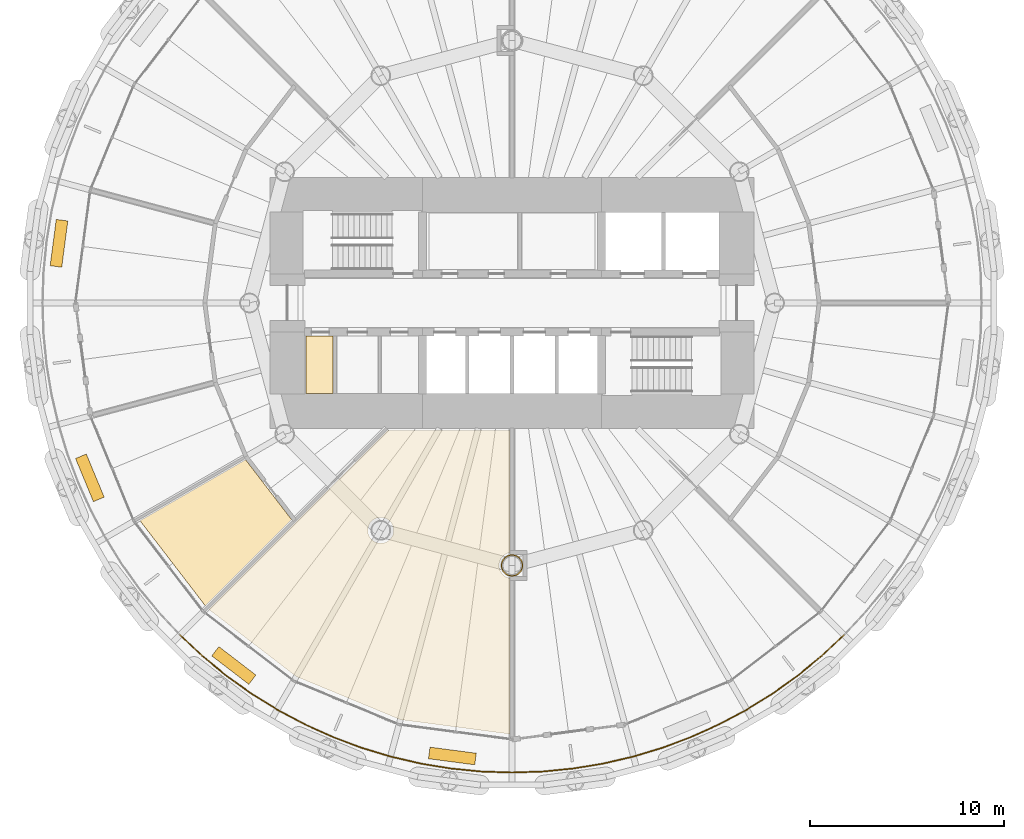
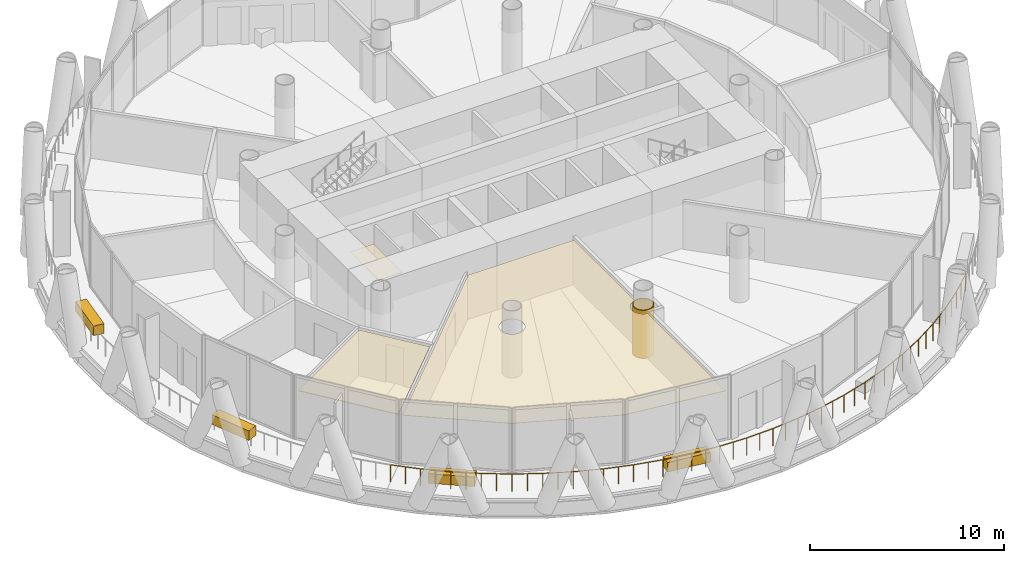
# One storey, part 12 of 15: 8 coverings, 1 railing.
"""IFC4 building model written with IfcOpenShell, lengths in metres."""

from ifc_helpers import new_model, si_unit, direction, frame, origin, origin_2d, place, context, subcontext, project, spatial, polyline, rectangle, circle, outline, extrude, material, layer, layer_set, type_object, element, save


model = new_model("IFC4")

# Units and contexts
model_context = context("Model", 3, precision=1e-05, world=origin(), true_north=direction((0.0, 1.0)))
body_context = subcontext(model_context, "Body", "Model", "MODEL_VIEW")
ifc_project = project(units=[si_unit("LENGTHUNIT", "METRE"), si_unit("AREAUNIT", "SQUARE_METRE"), si_unit("VOLUMEUNIT", "CUBIC_METRE"), si_unit("PLANEANGLEUNIT", "RADIAN"), si_unit("MASSUNIT", "GRAM", prefix="KILO")], contexts=[model_context])

# Site, building, storey
site_placement = place(None, origin())
site = spatial("IfcSite", under=ifc_project, at=site_placement, CompositionType="ELEMENT")
building_placement = place(site_placement, origin())
building = spatial("IfcBuilding", under=site, at=building_placement, Name="Qaws Media Tower", CompositionType="ELEMENT")
storey_placement = place(building_placement, frame((0.0, 0.0, 147.800048828125)))
storey = spatial("IfcBuildingStorey", under=building, at=storey_placement, Name="L33", CompositionType="ELEMENT", Elevation=147.800048828125)

# Covering
ifc_material_1 = material(Name="40 perforated acoustic panels with mineral wool backing, suspended", Category="mineral fibre")
ifc_layer_1 = layer(ifc_material_1, 0.0400390625)
ifc_layer_set_1 = layer_set([ifc_layer_1], Name="Acoustic panel ceiling 40")
covering_type_1 = type_object("IfcCoveringType", Name="Acoustic panel ceiling 40", PredefinedType="CEILING", material=ifc_layer_set_1)
covering_1_placement = place(storey_placement, frame((0.0, 0.0, 2.849853515625)))
element("IfcCovering", 1, at=covering_1_placement, inside=storey, type_object=covering_type_1, Name="CL3 ceiling L33-08 Meeting room", PredefinedType="CEILING", context=body_context, shape_type="SweptSolid", body=[
    extrude(outline(polyline([(40.856201171875, 38.8173828125), (46.28759765625, 41.953125), (48.678466796875, 38.83740234375), (44.24365234375, 34.402587890625), (40.856201171875, 38.8173828125)])), origin(), (0.0, 0.0, 1.0), 0.0400390625),
])

# Railing
ifc_material_2 = material(Name="Stainless steel and glass guard", Category="steel")
railing_type = type_object("IfcRailingType", Name="Balcony guard 1100", PredefinedType="GUARDRAIL", material=ifc_material_2)
railing_placement = place(storey_placement, frame((42.92333984375, 32.92333984375, 0.0)))
element("IfcRailing", 2, at=railing_placement, inside=storey, type_object=railing_type, Name="GR1 balcony guard L33-3", PredefinedType="GUARDRAIL", context=body_context, shape_type="SweptSolid", body=[
    extrude(circle(Radius=0.02392578125, at=origin_2d()), frame((0.0, 0.0, 1.076171875), z_axis=(0.729898402418, -0.683555646709, 0.0), x_axis=(0.683555646709, 0.729898402418, 0.0)), (0.0, 0.0, 1.0), 1.58056640625),
    extrude(circle(Radius=0.02392578125, at=origin_2d()), frame((1.153564453125, -1.080322265625, 1.076171875), z_axis=(0.772999541766, -0.63440657975, 0.0), x_axis=(0.63440657975, 0.772999541766, 0.0)), (0.0, 0.0, 1.0), 1.580078125),
    extrude(circle(Radius=0.02392578125, at=origin_2d()), frame((2.375, -2.082763671875, 1.076171875), z_axis=(0.812824441406, -0.582508735945, 0.0), x_axis=(0.582508735945, 0.812824441406, 0.0)), (0.0, 0.0, 1.0), 1.58056640625),
    extrude(circle(Radius=0.02392578125, at=origin_2d()), frame((3.65966796875, -3.00341796875, 1.076171875), z_axis=(0.849219795707, -0.52803952369, 0.0), x_axis=(0.52803952369, 0.849219795707, 0.0)), (0.0, 0.0, 1.0), 1.580322265625),
    extrude(circle(Radius=0.02392578125, at=origin_2d()), frame((5.001708984375, -3.837890625, 1.076171875), z_axis=(0.881954920719, -0.471333764777, 0.0), x_axis=(0.471333764777, 0.881954920719, 0.0)), (0.0, 0.0, 1.0), 1.580322265625),
    extrude(circle(Radius=0.02392578125, at=origin_2d()), frame((6.3955078125, -4.582763671875, 1.076171875), z_axis=(0.910831466331, -0.412778439287, 0.0), x_axis=(0.412778439287, 0.910831466331, 0.0)), (0.0, 0.0, 1.0), 1.580322265625),
    extrude(circle(Radius=0.02392578125, at=origin_2d()), frame((7.8349609375, -5.235107421875, 1.076171875), z_axis=(0.935909479077, -0.352240609491, 0.0), x_axis=(0.352240609491, 0.935909479077, 0.0)), (0.0, 0.0, 1.0), 1.580322265625),
    extrude(circle(Radius=0.02392578125, at=origin_2d()), frame((9.31396484375, -5.791748046875, 1.076171875), z_axis=(0.956937304005, -0.290294671331, 0.0), x_axis=(0.290294671331, 0.956937304005, 0.0)), (0.0, 0.0, 1.0), 1.580322265625),
    extrude(circle(Radius=0.02392578125, at=origin_2d()), frame((10.826171875, -6.25048828125, 1.076171875), z_axis=(0.973873106411, -0.227092872212, 0.0), x_axis=(0.227092872212, 0.973873106411, 0.0)), (0.0, 0.0, 1.0), 1.580322265625),
    extrude(circle(Radius=0.02392578125, at=origin_2d()), frame((12.365234375, -6.609375, 1.076171875), z_axis=(0.986655692677, -0.162820588709, 0.0), x_axis=(0.162820588709, 0.986655692677, 0.0)), (0.0, 0.0, 1.0), 1.580322265625),
    extrude(circle(Radius=0.02392578125, at=origin_2d()), frame((13.924560546875, -6.86669921875, 1.076171875), z_axis=(0.995175425119, -0.098111534692, 0.0), x_axis=(0.098111534692, 0.995175425119, 0.0)), (0.0, 0.0, 1.0), 1.580078125),
    extrude(circle(Radius=0.02392578125, at=origin_2d()), frame((15.4970703125, -7.021728515625, 1.076171875), z_axis=(0.999468650712, -0.032594727249, 0.0), x_axis=(0.032594727249, 0.999468650712, 0.0)), (0.0, 0.0, 1.0), 1.580322265625),
    extrude(circle(Radius=0.02392578125, at=origin_2d()), frame((17.07666015625, -7.0732421875, 1.076171875), z_axis=(0.999468650712, 0.032594727249, 0.0), x_axis=(-0.032594727249, 0.999468650712, 0.0)), (0.0, 0.0, 1.0), 1.580322265625),
    extrude(circle(Radius=0.02392578125, at=origin_2d()), frame((18.65625, -7.021728515625, 1.076171875), z_axis=(0.995175425119, 0.098111534692, 0.0), x_axis=(-0.098111534692, 0.995175425119, 0.0)), (0.0, 0.0, 1.0), 1.580078125),
    extrude(circle(Radius=0.02392578125, at=origin_2d()), frame((20.228759765625, -6.86669921875, 1.076171875), z_axis=(0.986655692677, 0.162820588709, 0.0), x_axis=(-0.162820588709, 0.986655692677, 0.0)), (0.0, 0.0, 1.0), 1.580322265625),
    extrude(circle(Radius=0.02392578125, at=origin_2d()), frame((21.7880859375, -6.609375, 1.076171875), z_axis=(0.973873106411, 0.227092872212, 0.0), x_axis=(-0.227092872212, 0.973873106411, 0.0)), (0.0, 0.0, 1.0), 1.580322265625),
    extrude(circle(Radius=0.02392578125, at=origin_2d()), frame((23.3271484375, -6.25048828125, 1.076171875), z_axis=(0.956937304005, 0.290294671331, 0.0), x_axis=(-0.290294671331, 0.956937304005, 0.0)), (0.0, 0.0, 1.0), 1.580322265625),
    extrude(circle(Radius=0.02392578125, at=origin_2d()), frame((24.83935546875, -5.791748046875, 1.076171875), z_axis=(0.935909479077, 0.352240609491, 0.0), x_axis=(-0.352240609491, 0.935909479077, 0.0)), (0.0, 0.0, 1.0), 1.580322265625),
    extrude(circle(Radius=0.02392578125, at=origin_2d()), frame((26.318359375, -5.235107421875, 1.076171875), z_axis=(0.910831466331, 0.412778439287, 0.0), x_axis=(-0.412778439287, 0.910831466331, 0.0)), (0.0, 0.0, 1.0), 1.580322265625),
    extrude(circle(Radius=0.02392578125, at=origin_2d()), frame((27.7578125, -4.582763671875, 1.076171875), z_axis=(0.881954920719, 0.471333764777, 0.0), x_axis=(-0.471333764777, 0.881954920719, 0.0)), (0.0, 0.0, 1.0), 1.580322265625),
    extrude(circle(Radius=0.02392578125, at=origin_2d()), frame((29.151611328125, -3.837890625, 1.076171875), z_axis=(0.849219795707, 0.52803952369, 0.0), x_axis=(-0.52803952369, 0.849219795707, 0.0)), (0.0, 0.0, 1.0), 1.580322265625),
    extrude(circle(Radius=0.02392578125, at=origin_2d()), frame((30.49365234375, -3.00341796875, 1.076171875), z_axis=(0.812824441406, 0.582508735945, 0.0), x_axis=(-0.582508735945, 0.812824441406, 0.0)), (0.0, 0.0, 1.0), 1.58056640625),
    extrude(circle(Radius=0.02392578125, at=origin_2d()), frame((31.7783203125, -2.082763671875, 1.076171875), z_axis=(0.772999541766, 0.63440657975, 0.0), x_axis=(-0.63440657975, 0.772999541766, 0.0)), (0.0, 0.0, 1.0), 1.580078125),
    extrude(circle(Radius=0.02392578125, at=origin_2d()), frame((32.999755859375, -1.080322265625, 1.076171875), z_axis=(0.729898402418, 0.683555646709, 0.0), x_axis=(-0.683555646709, 0.729898402418, 0.0)), (0.0, 0.0, 1.0), 1.58056640625),
    extrude(circle(Radius=0.02099609375, at=origin_2d()), origin(), (0.0, 0.0, 1.0), 1.052001953125),
    extrude(circle(Radius=0.02099609375, at=origin_2d()), frame((0.57666015625, -0.5400390625, 0.0)), (0.0, 0.0, 1.0), 1.052001953125),
    extrude(circle(Radius=0.02099609375, at=origin_2d()), frame((1.153564453125, -1.080322265625, 0.0)), (0.0, 0.0, 1.0), 1.052001953125),
    extrude(circle(Radius=0.02099609375, at=origin_2d()), frame((1.76416015625, -1.58154296875, 0.0)), (0.0, 0.0, 1.0), 1.052001953125),
    extrude(circle(Radius=0.02099609375, at=origin_2d()), frame((2.375, -2.082763671875, 0.0)), (0.0, 0.0, 1.0), 1.052001953125),
    extrude(circle(Radius=0.02099609375, at=origin_2d()), frame((3.017333984375, -2.54296875, 0.0)), (0.0, 0.0, 1.0), 1.052001953125),
    extrude(circle(Radius=0.02099609375, at=origin_2d()), frame((3.65966796875, -3.00341796875, 0.0)), (0.0, 0.0, 1.0), 1.052001953125),
    extrude(circle(Radius=0.02099609375, at=origin_2d()), frame((4.33056640625, -3.420654296875, 0.0)), (0.0, 0.0, 1.0), 1.052001953125),
    extrude(circle(Radius=0.02099609375, at=origin_2d()), frame((5.001708984375, -3.837890625, 0.0)), (0.0, 0.0, 1.0), 1.052001953125),
    extrude(circle(Radius=0.02099609375, at=origin_2d()), frame((5.69873046875, -4.21044921875, 0.0)), (0.0, 0.0, 1.0), 1.052001953125),
    extrude(circle(Radius=0.02099609375, at=origin_2d()), frame((6.3955078125, -4.582763671875, 0.0)), (0.0, 0.0, 1.0), 1.052001953125),
    extrude(circle(Radius=0.02099609375, at=origin_2d()), frame((7.115234375, -4.908935546875, 0.0)), (0.0, 0.0, 1.0), 1.052001953125),
    extrude(circle(Radius=0.02099609375, at=origin_2d()), frame((7.8349609375, -5.235107421875, 0.0)), (0.0, 0.0, 1.0), 1.052001953125),
    extrude(circle(Radius=0.02099609375, at=origin_2d()), frame((8.574462890625, -5.513427734375, 0.0)), (0.0, 0.0, 1.0), 1.052001953125),
    extrude(circle(Radius=0.02099609375, at=origin_2d()), frame((9.31396484375, -5.791748046875, 0.0)), (0.0, 0.0, 1.0), 1.052001953125),
    extrude(circle(Radius=0.02099609375, at=origin_2d()), frame((10.070068359375, -6.02099609375, 0.0)), (0.0, 0.0, 1.0), 1.052001953125),
    extrude(circle(Radius=0.02099609375, at=origin_2d()), frame((10.826171875, -6.25048828125, 0.0)), (0.0, 0.0, 1.0), 1.052001953125),
    extrude(circle(Radius=0.02099609375, at=origin_2d()), frame((11.595703125, -6.429931640625, 0.0)), (0.0, 0.0, 1.0), 1.052001953125),
    extrude(circle(Radius=0.02099609375, at=origin_2d()), frame((12.365234375, -6.609375, 0.0)), (0.0, 0.0, 1.0), 1.052001953125),
    extrude(circle(Radius=0.02099609375, at=origin_2d()), frame((13.14501953125, -6.738037109375, 0.0)), (0.0, 0.0, 1.0), 1.052001953125),
    extrude(circle(Radius=0.02099609375, at=origin_2d()), frame((13.924560546875, -6.86669921875, 0.0)), (0.0, 0.0, 1.0), 1.052001953125),
    extrude(circle(Radius=0.02099609375, at=origin_2d()), frame((14.7109375, -6.9443359375, 0.0)), (0.0, 0.0, 1.0), 1.052001953125),
    extrude(circle(Radius=0.02099609375, at=origin_2d()), frame((15.4970703125, -7.021728515625, 0.0)), (0.0, 0.0, 1.0), 1.052001953125),
    extrude(circle(Radius=0.02099609375, at=origin_2d()), frame((16.286865234375, -7.04736328125, 0.0)), (0.0, 0.0, 1.0), 1.052001953125),
    extrude(circle(Radius=0.02099609375, at=origin_2d()), frame((17.07666015625, -7.0732421875, 0.0)), (0.0, 0.0, 1.0), 1.052001953125),
    extrude(circle(Radius=0.02099609375, at=origin_2d()), frame((17.866455078125, -7.04736328125, 0.0)), (0.0, 0.0, 1.0), 1.052001953125),
    extrude(circle(Radius=0.02099609375, at=origin_2d()), frame((18.65625, -7.021728515625, 0.0)), (0.0, 0.0, 1.0), 1.052001953125),
    extrude(circle(Radius=0.02099609375, at=origin_2d()), frame((19.4423828125, -6.9443359375, 0.0)), (0.0, 0.0, 1.0), 1.052001953125),
    extrude(circle(Radius=0.02099609375, at=origin_2d()), frame((20.228759765625, -6.86669921875, 0.0)), (0.0, 0.0, 1.0), 1.052001953125),
    extrude(circle(Radius=0.02099609375, at=origin_2d()), frame((21.00830078125, -6.738037109375, 0.0)), (0.0, 0.0, 1.0), 1.052001953125),
    extrude(circle(Radius=0.02099609375, at=origin_2d()), frame((21.7880859375, -6.609375, 0.0)), (0.0, 0.0, 1.0), 1.052001953125),
    extrude(circle(Radius=0.02099609375, at=origin_2d()), frame((22.5576171875, -6.429931640625, 0.0)), (0.0, 0.0, 1.0), 1.052001953125),
    extrude(circle(Radius=0.02099609375, at=origin_2d()), frame((23.3271484375, -6.25048828125, 0.0)), (0.0, 0.0, 1.0), 1.052001953125),
    extrude(circle(Radius=0.02099609375, at=origin_2d()), frame((24.083251953125, -6.02099609375, 0.0)), (0.0, 0.0, 1.0), 1.052001953125),
    extrude(circle(Radius=0.02099609375, at=origin_2d()), frame((24.83935546875, -5.791748046875, 0.0)), (0.0, 0.0, 1.0), 1.052001953125),
    extrude(circle(Radius=0.02099609375, at=origin_2d()), frame((25.578857421875, -5.513427734375, 0.0)), (0.0, 0.0, 1.0), 1.052001953125),
    extrude(circle(Radius=0.02099609375, at=origin_2d()), frame((26.318359375, -5.235107421875, 0.0)), (0.0, 0.0, 1.0), 1.052001953125),
    extrude(circle(Radius=0.02099609375, at=origin_2d()), frame((27.0380859375, -4.908935546875, 0.0)), (0.0, 0.0, 1.0), 1.052001953125),
    extrude(circle(Radius=0.02099609375, at=origin_2d()), frame((27.7578125, -4.582763671875, 0.0)), (0.0, 0.0, 1.0), 1.052001953125),
    extrude(circle(Radius=0.02099609375, at=origin_2d()), frame((28.45458984375, -4.21044921875, 0.0)), (0.0, 0.0, 1.0), 1.052001953125),
    extrude(circle(Radius=0.02099609375, at=origin_2d()), frame((29.151611328125, -3.837890625, 0.0)), (0.0, 0.0, 1.0), 1.052001953125),
    extrude(circle(Radius=0.02099609375, at=origin_2d()), frame((29.82275390625, -3.420654296875, 0.0)), (0.0, 0.0, 1.0), 1.052001953125),
    extrude(circle(Radius=0.02099609375, at=origin_2d()), frame((30.49365234375, -3.00341796875, 0.0)), (0.0, 0.0, 1.0), 1.052001953125),
    extrude(circle(Radius=0.02099609375, at=origin_2d()), frame((31.135986328125, -2.54296875, 0.0)), (0.0, 0.0, 1.0), 1.052001953125),
    extrude(circle(Radius=0.02099609375, at=origin_2d()), frame((31.7783203125, -2.082763671875, 0.0)), (0.0, 0.0, 1.0), 1.052001953125),
    extrude(circle(Radius=0.02099609375, at=origin_2d()), frame((32.38916015625, -1.58154296875, 0.0)), (0.0, 0.0, 1.0), 1.052001953125),
    extrude(circle(Radius=0.02099609375, at=origin_2d()), frame((32.999755859375, -1.080322265625, 0.0)), (0.0, 0.0, 1.0), 1.052001953125),
    extrude(circle(Radius=0.02099609375, at=origin_2d()), frame((33.57666015625, -0.5400390625, 0.0)), (0.0, 0.0, 1.0), 1.052001953125),
    extrude(circle(Radius=0.02099609375, at=origin_2d()), frame((34.1533203125, 0.0, 0.0)), (0.0, 0.0, 1.0), 1.052001953125),
])

# Coverings
ifc_material_3 = material(Name="Two layers 15 fire-rated gypsum board on steel framing", Category="steel")
ifc_layer_2 = layer(ifc_material_3, 0.050048828125)
ifc_layer_set_2 = layer_set([ifc_layer_2], Name="Column fire casing")
covering_type_2 = type_object("IfcCoveringType", Name="Column fire casing", PredefinedType="CLADDING", material=ifc_layer_set_2)
covering_2_placement = place(storey_placement, origin())
element("IfcCovering", 3, at=covering_2_placement, inside=storey, type_object=covering_type_2, Name="CC1 column casing L33", PredefinedType="CLADDING", context=body_context, shape_type="SweptSolid", body=[
    extrude(outline(polyline([(60.56298828125, 36.5), (60.55810546875, 36.426513671875), (60.543701171875, 36.354248046875), (60.52001953125, 36.284423828125), (60.487548828125, 36.218505859375), (60.44677734375, 36.1572265625), (60.398193359375, 36.101806640625), (60.3427734375, 36.05322265625), (60.281494140625, 36.012451171875), (60.215576171875, 35.97998046875), (60.145751953125, 35.956298828125), (60.073486328125, 35.94189453125), (60.0, 35.93701171875), (59.926513671875, 35.94189453125), (59.854248046875, 35.956298828125), (59.784423828125, 35.97998046875), (59.718505859375, 36.012451171875), (59.6572265625, 36.05322265625), (59.601806640625, 36.101806640625), (59.55322265625, 36.1572265625), (59.512451171875, 36.218505859375), (59.47998046875, 36.284423828125), (59.456298828125, 36.354248046875), (59.44189453125, 36.426513671875), (59.43701171875, 36.5), (59.44189453125, 36.573486328125), (59.456298828125, 36.645751953125), (59.47998046875, 36.715576171875), (59.512451171875, 36.781494140625), (59.55322265625, 36.8427734375), (59.601806640625, 36.898193359375), (59.6572265625, 36.94677734375), (59.718505859375, 36.987548828125), (59.784423828125, 37.02001953125), (59.854248046875, 37.043701171875), (59.926513671875, 37.05810546875), (60.0, 37.06298828125), (60.073486328125, 37.05810546875), (60.145751953125, 37.043701171875), (60.215576171875, 37.02001953125), (60.281494140625, 36.987548828125), (60.3427734375, 36.94677734375), (60.398193359375, 36.898193359375), (60.44677734375, 36.8427734375), (60.487548828125, 36.781494140625), (60.52001953125, 36.715576171875), (60.543701171875, 36.645751953125), (60.55810546875, 36.573486328125), (60.56298828125, 36.5)]), holes=[polyline([(60.510986328125, 36.5), (60.506591796875, 36.433349609375), (60.49365234375, 36.36767578125), (60.47216796875, 36.304443359375), (60.4423828125, 36.244384765625), (60.405517578125, 36.18896484375), (60.361328125, 36.138671875), (60.31103515625, 36.094482421875), (60.255615234375, 36.0576171875), (60.195556640625, 36.02783203125), (60.13232421875, 36.00634765625), (60.066650390625, 35.993408203125), (60.0, 35.989013671875), (59.933349609375, 35.993408203125), (59.86767578125, 36.00634765625), (59.804443359375, 36.02783203125), (59.744384765625, 36.0576171875), (59.68896484375, 36.094482421875), (59.638671875, 36.138671875), (59.594482421875, 36.18896484375), (59.5576171875, 36.244384765625), (59.52783203125, 36.304443359375), (59.50634765625, 36.36767578125), (59.493408203125, 36.433349609375), (59.489013671875, 36.5), (59.493408203125, 36.566650390625), (59.50634765625, 36.63232421875), (59.52783203125, 36.695556640625), (59.5576171875, 36.755615234375), (59.594482421875, 36.81103515625), (59.638671875, 36.861328125), (59.68896484375, 36.905517578125), (59.744384765625, 36.9423828125), (59.804443359375, 36.97216796875), (59.86767578125, 36.99365234375), (59.933349609375, 37.006591796875), (60.0, 37.010986328125), (60.066650390625, 37.006591796875), (60.13232421875, 36.99365234375), (60.195556640625, 36.97216796875), (60.255615234375, 36.9423828125), (60.31103515625, 36.905517578125), (60.361328125, 36.861328125), (60.405517578125, 36.81103515625), (60.4423828125, 36.755615234375), (60.47216796875, 36.695556640625), (60.49365234375, 36.63232421875), (60.506591796875, 36.566650390625), (60.510986328125, 36.5)])]), origin(), (0.0, 0.0, 1.0), 3.02001953125),
])
ifc_material_4 = material(Name="600 x 600 mineral fibre tiles in exposed grid, suspended", Category="mineral fibre")
ifc_layer_3 = layer(ifc_material_4, 0.02001953125)
ifc_layer_set_3 = layer_set([ifc_layer_3], Name="Mineral fibre tile ceiling 20")
covering_type_3 = type_object("IfcCoveringType", Name="Mineral fibre tile ceiling 20", PredefinedType="CEILING", material=ifc_layer_set_3)
covering_3_placement = place(storey_placement, frame((0.0, 0.0, 2.849853515625)))
element("IfcCovering", 4, at=covering_3_placement, inside=storey, type_object=covering_type_3, Name="CL1 ceiling L33-C04 Cleaner's room", PredefinedType="CEILING", context=body_context, shape_type="SweptSolid", body=[
    extrude(outline(polyline([(49.39990234375, 45.35009765625), (49.39990234375, 48.300048828125), (50.800048828125, 48.300048828125), (50.800048828125, 45.35009765625), (49.39990234375, 45.35009765625)])), origin(), (0.0, 0.0, 1.0), 0.02001953125),
])
ifc_material_5 = material(Name="Precast concrete planter with trailing planting", Category="concrete")
ifc_layer_4 = layer(ifc_material_5, 0.60009765625)
ifc_layer_set_4 = layer_set([ifc_layer_4], Name="Planter 2400x600")
covering_type_4 = type_object("IfcCoveringType", Name="Planter 2400x600", PredefinedType="USERDEFINED", material=ifc_layer_set_4)
for number, where, z_axis, x_axis, name in (
    (5, (36.700927734375, 53.0673828125, 0.0), (0.0, 0.0, 1.0), (-0.13052619222, -0.991444861374, 0.0), "PL1 balcony planter L33-06"),
    (6, (38.288818359375, 41.0068359375, 0.0), (0.0, 0.0, 1.0), (0.382683432365, -0.923879532511, 0.0), "PL1 balcony planter L33-07"),
    (7, (45.694091796875, 31.356201171875, 0.0), (0.0, 0.0, 1.0), (0.793353340291, -0.608761429009, 0.0), "PL1 balcony planter L33-08"),
    (8, (56.9326171875, 26.700927734375, 0.0), (0.0, 0.0, 1.0), (0.991444861374, -0.13052619222, 0.0), "PL1 balcony planter L33-09"),
):
    element("IfcCovering", number, at=place(storey_placement, frame(where, z_axis=z_axis, x_axis=x_axis)), inside=storey, type_object=covering_type_4, Name=name, ObjectType="PLANTER", PredefinedType="USERDEFINED", context=body_context, shape_type="SweptSolid", body=[
        extrude(rectangle(XDim=2.39990234375, YDim=0.60009765625, at=origin_2d()), origin(), (0.0, 0.0, 1.0), 0.60009765625),
    ])
ifc_material_6 = material(Name="Two layers 12.5 moisture-resistant plasterboard on suspended metal furring", Category="gypsum")
ifc_layer_5 = layer(ifc_material_6, 0.02490234375)
ifc_layer_set_5 = layer_set([ifc_layer_5], Name="Plasterboard ceiling 25")
covering_type_5 = type_object("IfcCoveringType", Name="Plasterboard ceiling 25", PredefinedType="CEILING", material=ifc_layer_set_5)
covering_4_placement = place(storey_placement, frame((0.0, 0.0, 2.849853515625)))
element("IfcCovering", 9, at=covering_4_placement, inside=storey, type_object=covering_type_5, Name="CL2 ceiling L33-09 IT project office", PredefinedType="CEILING", context=body_context, shape_type="SweptSolid", body=[
    extrude(outline(polyline([(54.258056640625, 28.57080078125), (48.907470703125, 30.787109375), (44.402587890625, 34.24365234375), (53.5966796875, 43.4375), (59.887451171875, 43.4375), (59.887451171875, 37.1572265625), (59.8271484375, 37.145263671875), (59.744384765625, 37.1171875), (59.666015625, 37.07861328125), (59.59326171875, 37.030029296875), (59.527587890625, 36.972412109375), (59.469970703125, 36.90673828125), (59.42138671875, 36.833984375), (59.3828125, 36.755615234375), (59.354736328125, 36.6728515625), (59.337646484375, 36.587158203125), (59.33203125, 36.5), (59.337646484375, 36.412841796875), (59.354736328125, 36.3271484375), (59.3828125, 36.244384765625), (59.42138671875, 36.166015625), (59.469970703125, 36.09326171875), (59.527587890625, 36.027587890625), (59.59326171875, 35.969970703125), (59.666015625, 35.92138671875), (59.744384765625, 35.8828125), (59.8271484375, 35.854736328125), (59.887451171875, 35.8427734375), (59.887451171875, 27.82958984375), (54.258056640625, 28.57080078125)]), holes=[polyline([(53.895263671875, 38.1357421875), (53.912353515625, 38.221435546875), (53.91796875, 38.30859375), (53.912353515625, 38.395751953125), (53.895263671875, 38.4814453125), (53.8671875, 38.564208984375), (53.82861328125, 38.642578125), (53.780029296875, 38.71533203125), (53.722412109375, 38.781005859375), (53.65673828125, 38.838623046875), (53.583984375, 38.88720703125), (53.505615234375, 38.92578125), (53.4228515625, 38.953857421875), (53.337158203125, 38.970947265625), (53.25, 38.976806640625), (53.162841796875, 38.970947265625), (53.0771484375, 38.953857421875), (52.994384765625, 38.92578125), (52.916015625, 38.88720703125), (52.84326171875, 38.838623046875), (52.777587890625, 38.781005859375), (52.719970703125, 38.71533203125), (52.67138671875, 38.642578125), (52.6328125, 38.564208984375), (52.604736328125, 38.4814453125), (52.587646484375, 38.395751953125), (52.58203125, 38.30859375), (52.587646484375, 38.221435546875), (52.604736328125, 38.1357421875), (52.6328125, 38.052978515625), (52.67138671875, 37.974609375), (52.719970703125, 37.902099609375), (52.777587890625, 37.836181640625), (52.84326171875, 37.77880859375), (52.916015625, 37.730224609375), (52.994384765625, 37.69140625), (53.0771484375, 37.663330078125), (53.162841796875, 37.646484375), (53.25, 37.640625), (53.337158203125, 37.646484375), (53.4228515625, 37.663330078125), (53.505615234375, 37.69140625), (53.583984375, 37.730224609375), (53.65673828125, 37.77880859375), (53.722412109375, 37.836181640625), (53.780029296875, 37.902099609375), (53.82861328125, 37.974609375), (53.8671875, 38.052978515625), (53.895263671875, 38.1357421875)])]), origin(), (0.0, 0.0, 1.0), 0.025146484375),
])

save(model, "model.ifc")
